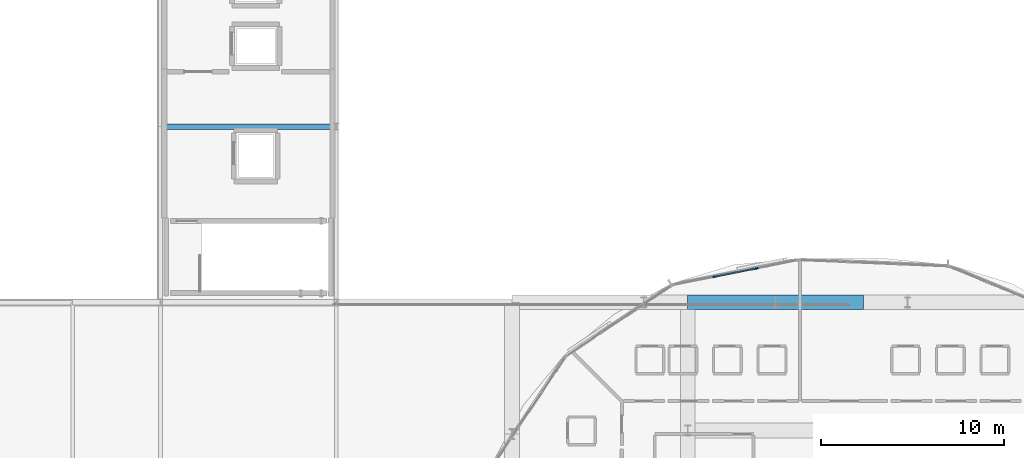
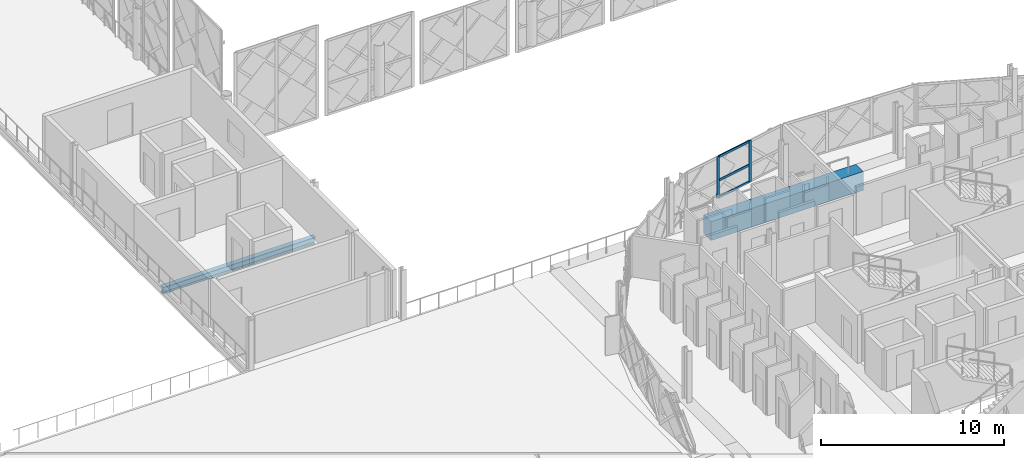
# One storey, part 15 of 53: 5 members, 2 beams, 1 element without a shape of its own.
"""IFC4 building model written with IfcOpenShell, lengths in metres."""

from ifc_helpers import new_model, si_unit, direction, frame, origin, origin_2d, place, context, subcontext, project, spatial, rectangle, i_section, extrude, material, layer, layer_set, material_profile, profile_set, type_object, element, aggregate, save


model = new_model("IFC4")

# Units and contexts
model_context = context("Model", 3, precision=1e-05, world=origin(), true_north=direction((0.0, 1.0)))
body_context = subcontext(model_context, "Body", "Model", "MODEL_VIEW")
ifc_project = project(units=[si_unit("LENGTHUNIT", "METRE"), si_unit("AREAUNIT", "SQUARE_METRE"), si_unit("VOLUMEUNIT", "CUBIC_METRE"), si_unit("PLANEANGLEUNIT", "RADIAN"), si_unit("MASSUNIT", "GRAM", prefix="KILO")], contexts=[model_context])

# Site, building, storey
site_placement = place(None, origin())
site = spatial("IfcSite", under=ifc_project, at=site_placement, CompositionType="ELEMENT")
building_placement = place(site_placement, origin())
building = spatial("IfcBuilding", under=site, at=building_placement, Name="Zevrakil Square Congress Hotel", CompositionType="ELEMENT")
storey_placement = place(building_placement, frame((0.0, 0.0, 14.699951171875)))
storey = spatial("IfcBuildingStorey", under=building, at=storey_placement, Name="L04", CompositionType="ELEMENT", Elevation=14.699951171875)

# Beams
ifc_material_1 = material(Name="Steel S355", Category="steel")
ifc_material_profile_1 = material_profile(ifc_material_1, i_section(OverallWidth=0.300048828125, OverallDepth=0.43994140625, WebThickness=0.011474609375, FlangeThickness=0.02099609375, FilletRadius=0.027099609375, at=origin_2d()), Name="HEA 450")
ifc_profile_set_1 = profile_set([ifc_material_profile_1], Name="Steel S355")
beam_type_1 = type_object("IfcBeamType", Name="BM-HEA450", PredefinedType="BEAM", material=ifc_profile_set_1)
beam_1_placement = place(storey_placement, frame((108.0, 55.199951171875, -0.47998046875), z_axis=(1.0, 0.0, 0.0), x_axis=(0.0, 1.0, 0.0)))
element("IfcBeam", 1, at=beam_1_placement, inside=storey, type_object=beam_type_1, Name="L04 primary girder BX-1234", PredefinedType="BEAM", context=body_context, shape_type="SweptSolid", body=[
    extrude(i_section(OverallWidth=0.300048828125, OverallDepth=0.43994140625, WebThickness=0.011474609375, FlangeThickness=0.02099609375, FilletRadius=0.027099609375, at=origin_2d()), origin(), (0.0, 0.0, 1.0), 9.60009765625),
])
ifc_material_2 = material(Name="Concrete C40/50", Category="concrete")
ifc_material_profile_2 = material_profile(ifc_material_2, rectangle(XDim=0.800048828125, YDim=1.25, at=origin_2d()), Name="RC 800x1250")
ifc_profile_set_2 = profile_set([ifc_material_profile_2], Name="Concrete C40/50")
beam_type_2 = type_object("IfcBeamType", Name="BM-RC800x1250", PredefinedType="BEAM", material=ifc_profile_set_2)
beam_2_placement = place(storey_placement, frame((136.800048828125, 45.60009765625, -0.625), z_axis=(1.0, 0.0, 0.0), x_axis=(0.0, 1.0, 0.0)))
element("IfcBeam", 2, at=beam_2_placement, inside=storey, type_object=beam_type_2, Name="L04 drum transfer girder TB-006", PredefinedType="BEAM", context=body_context, shape_type="SweptSolid", body=[
    extrude(rectangle(XDim=0.800048828125, YDim=1.25, at=origin_2d()), origin(), (0.0, 0.0, 1.0), 9.599853515625),
])

# Curtain wall, members
ifc_material_3 = material(Name="Aluminium Anodised Bronze", Category="aluminium")
ifc_layer = layer(ifc_material_3, 0.179931640625)
ifc_layer_set = layer_set([ifc_layer], Name="Aluminium Anodised Bronze")
curtain_wall_type = type_object("IfcCurtainWallType", Name="CW-L04-720", PredefinedType="USERDEFINED", material=ifc_layer_set)
curtain_wall_placement = place(storey_placement, origin())
curtain_wall = element("IfcCurtainWall", 3, at=curtain_wall_placement, inside=storey, type_object=curtain_wall_type, Name="L04 diamond curtain wall CW-L04-0176", ObjectType="GLAZED CURTAIN WALL", PredefinedType="USERDEFINED")
ifc_material_4 = material(Name="Aluminium Anodised Bronze", Category="aluminium")
ifc_material_profile_3 = material_profile(ifc_material_4, rectangle(XDim=0.074951171875, YDim=0.14990234375, at=origin_2d()), Name="ALU 75x150")
ifc_profile_set_3 = profile_set([ifc_material_profile_3], Name="Aluminium Anodised Bronze")
member_type_1 = type_object("IfcMemberType", Name="CWM-ALU75x150", PredefinedType="USERDEFINED", material=ifc_profile_set_3)
member_1_placement = place(storey_placement, frame((140.525146484375, 47.448486328125, 0.030029296875), z_axis=(-0.980786492568, -0.195084227953, 0.0), x_axis=(0.195084227953, -0.980786492568, 0.0)))
member_1 = element("IfcMember", 4, at=member_1_placement, type_object=member_type_1, Name="CW-46 transom 2.1", ObjectType="TRANSOM", PredefinedType="USERDEFINED", context=body_context, shape_type="SweptSolid", body=[
    extrude(rectangle(XDim=0.074951171875, YDim=0.14990234375, at=origin_2d()), origin(), (0.0, 0.0, 1.0), 2.275146484375),
])
member_2_placement = place(storey_placement, frame((140.525146484375, 47.448486328125, 1.155029296875), z_axis=(-0.980786492568, -0.195084227953, 0.0), x_axis=(0.195084227953, -0.980786492568, 0.0)))
member_2 = element("IfcMember", 5, at=member_2_placement, type_object=member_type_1, Name="CW-46 transom 2.2", ObjectType="TRANSOM", PredefinedType="USERDEFINED", context=body_context, shape_type="SweptSolid", body=[
    extrude(rectangle(XDim=0.074951171875, YDim=0.14990234375, at=origin_2d()), origin(), (0.0, 0.0, 1.0), 2.275146484375),
])
member_3_placement = place(storey_placement, frame((140.525146484375, 47.448486328125, 2.719970703125), z_axis=(-0.980786492568, -0.195084227953, 0.0), x_axis=(0.195084227953, -0.980786492568, 0.0)))
member_3 = element("IfcMember", 6, at=member_3_placement, type_object=member_type_1, Name="CW-46 transom 2.3", ObjectType="TRANSOM", PredefinedType="USERDEFINED", context=body_context, shape_type="SweptSolid", body=[
    extrude(rectangle(XDim=0.074951171875, YDim=0.14990234375, at=origin_2d()), origin(), (0.0, 0.0, 1.0), 2.275146484375),
])
ifc_material_5 = material(Name="Aluminium Anodised Bronze", Category="aluminium")
ifc_material_profile_4 = material_profile(ifc_material_5, rectangle(XDim=0.074951171875, YDim=0.179931640625, at=origin_2d()), Name="ALU 75x180")
ifc_profile_set_4 = profile_set([ifc_material_profile_4], Name="Aluminium Anodised Bronze")
member_type_2 = type_object("IfcMemberType", Name="CWM-ALU75x180", PredefinedType="MULLION", material=ifc_profile_set_4)
member_4_placement = place(storey_placement, frame((140.5546875, 47.454345703125, 0.0), z_axis=(0.0, 0.0, 1.0), x_axis=(0.195083900459, -0.980786557708, 0.0)))
member_4 = element("IfcMember", 7, at=member_4_placement, type_object=member_type_2, Name="CW-46 mullion 2", PredefinedType="MULLION", context=body_context, shape_type="SweptSolid", body=[
    extrude(rectangle(XDim=0.074951171875, YDim=0.179931640625, at=origin_2d()), origin(), (0.0, 0.0, 1.0), 2.75),
])
member_5_placement = place(storey_placement, frame((138.26416015625, 46.998779296875, 0.0), z_axis=(0.0, 0.0, 1.0), x_axis=(0.195083900459, -0.980786557708, 0.0)))
member_5 = element("IfcMember", 8, at=member_5_placement, type_object=member_type_2, Name="CW-46 mullion 3", PredefinedType="MULLION", context=body_context, shape_type="SweptSolid", body=[
    extrude(rectangle(XDim=0.074951171875, YDim=0.179931640625, at=origin_2d()), origin(), (0.0, 0.0, 1.0), 2.75),
])
aggregate(curtain_wall, [member_4, member_5, member_1, member_2, member_3])

save(model, "model.ifc")
